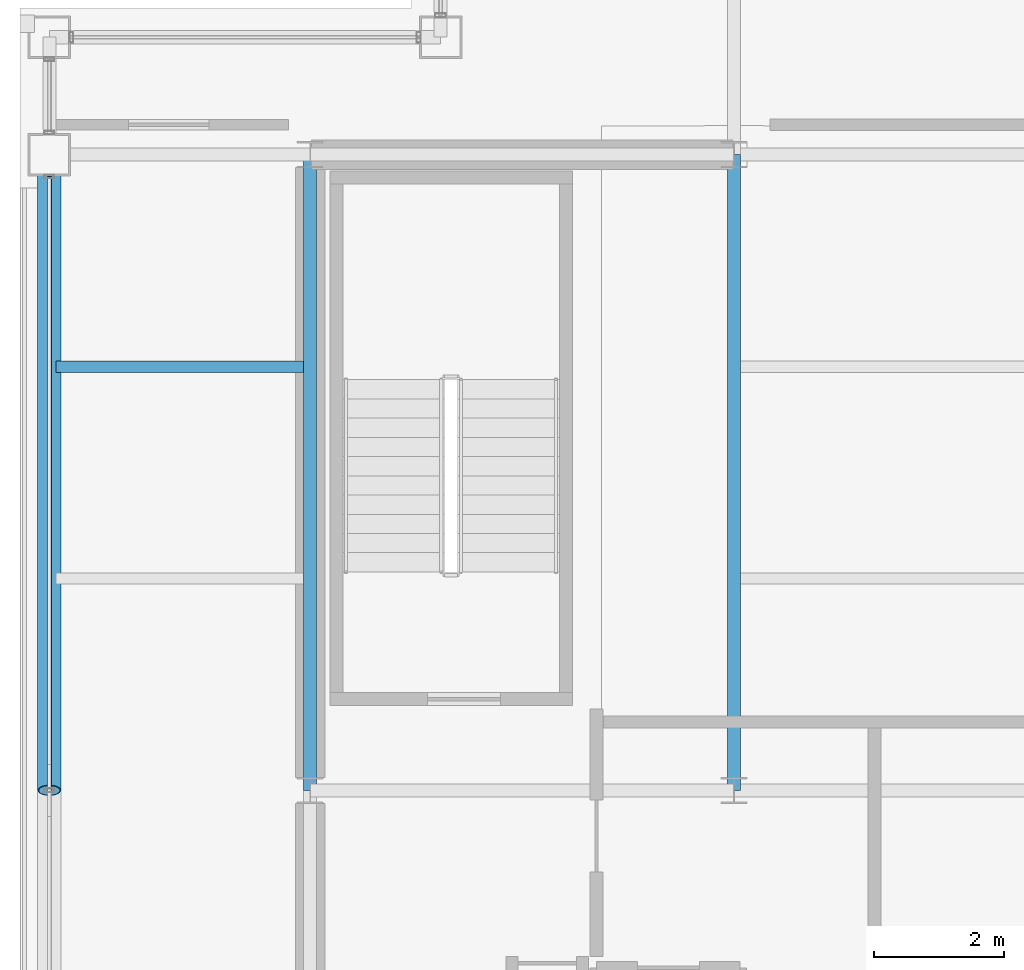
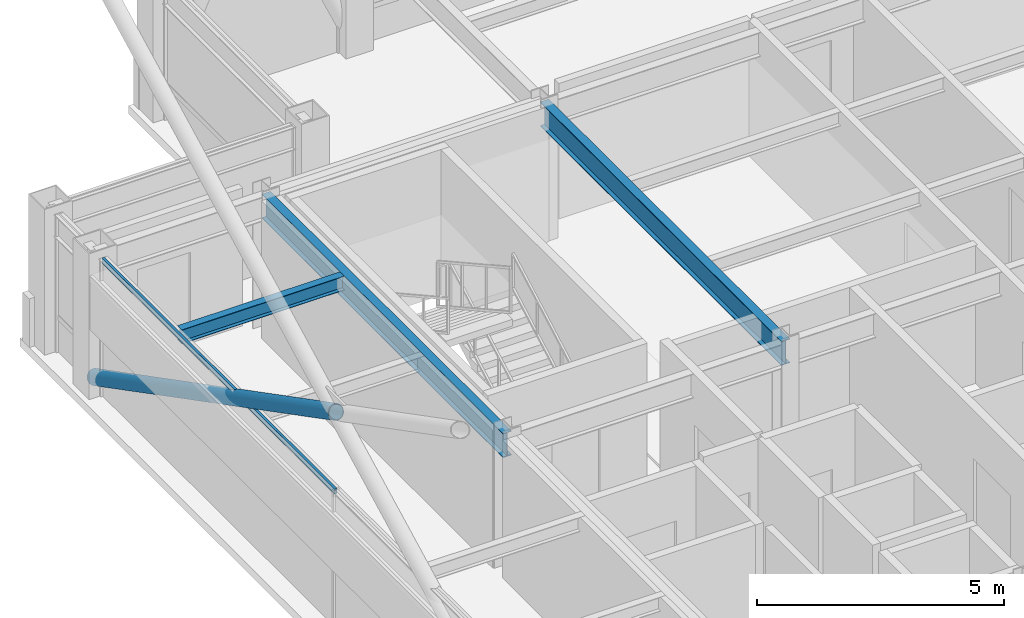
# One storey, part 12 of 30: 3 beams, 2 members, 1 element without a shape of its own.
"""IFC4 building model written with IfcOpenShell, lengths in metres."""

from ifc_helpers import new_model, si_unit, direction, frame, origin, origin_2d, place, context, subcontext, project, spatial, hollow_rectangle, hollow_circle, i_section, extrude, material, layer, layer_set, material_profile, profile_set, type_object, element, aggregate, save


model = new_model("IFC4")

# Units and contexts
model_context = context("Model", 3, precision=1e-05, world=origin(), true_north=direction((0.0, 1.0)))
body_context = subcontext(model_context, "Body", "Model", "MODEL_VIEW")
ifc_project = project(units=[si_unit("LENGTHUNIT", "METRE"), si_unit("AREAUNIT", "SQUARE_METRE"), si_unit("VOLUMEUNIT", "CUBIC_METRE"), si_unit("PLANEANGLEUNIT", "RADIAN"), si_unit("MASSUNIT", "GRAM", prefix="KILO")], contexts=[model_context])

# Site, building, storey
site_placement = place(None, origin())
site = spatial("IfcSite", under=ifc_project, at=site_placement, CompositionType="ELEMENT")
building_placement = place(site_placement, origin())
building = spatial("IfcBuilding", under=site, at=building_placement, Name="Brelmoor Portico Tower", CompositionType="ELEMENT")
storey_placement = place(building_placement, frame((0.0, 0.0, 236.39990234375)))
storey = spatial("IfcBuildingStorey", under=building, at=storey_placement, Name="L62", CompositionType="ELEMENT", Elevation=236.39990234375)

# Beams
ifc_material_1 = material(Name="Steel Q355B", Category="steel")
ifc_material_profile_1 = material_profile(ifc_material_1, i_section(OverallWidth=0.175048828125, OverallDepth=0.35009765625, WebThickness=0.007080078125, FlangeThickness=0.010986328125, at=origin_2d()), Name="HN 350x175x7x11")
ifc_profile_set_1 = profile_set([ifc_material_profile_1], Name="Steel Q355B")
beam_type_1 = type_object("IfcBeamType", Name="BM-JS-350", PredefinedType="JOIST", material=ifc_profile_set_1)
beam_placement = place(storey_placement, frame((-18.449951171875, 6.5, 3.22509765625), z_axis=(1.0, 0.0, 0.0), x_axis=(0.0, 1.0, 0.0)))
element("IfcBeam", 1, at=beam_placement, inside=storey, type_object=beam_type_1, Name="L62 Secondary Wing Joist JS-W10", PredefinedType="JOIST", context=body_context, shape_type="SweptSolid", body=[
    extrude(i_section(OverallWidth=0.175048828125, OverallDepth=0.35009765625, WebThickness=0.007080078125, FlangeThickness=0.010986328125, at=origin_2d()), origin(), (0.0, 0.0, 1.0), 3.800048828125),
])
ifc_material_profile_2 = material_profile(ifc_material_1, i_section(OverallWidth=0.199951171875, OverallDepth=0.60009765625, WebThickness=0.010986328125, FlangeThickness=0.01708984375, at=origin_2d()), Name="HN 600x200x11x17")
ifc_profile_set_2 = profile_set([ifc_material_profile_2], Name="Steel Q355B")
beam_type_2 = type_object("IfcBeamType", Name="BM-PG-600", PredefinedType="BEAM", material=ifc_profile_set_2)
for number, where, z_axis, x_axis, name in (
    (2, (-14.550048828125, 0.0, 3.10009765625), (0.0, 1.0, 0.0), (-1.0, 0.0, 0.0), "L62 Primary Floor Girder PG-02"),
    (3, (-8.050048828125, 0.0, 3.10009765625), (0.0, 1.0, 0.0), (-1.0, 0.0, 0.0), "L62 Primary Floor Girder PG-04"),
):
    element("IfcBeam", number, at=place(storey_placement, frame(where, z_axis=z_axis, x_axis=x_axis)), inside=storey, type_object=beam_type_2, Name=name, PredefinedType="BEAM", context=body_context, shape_type="SweptSolid", body=[
        extrude(i_section(OverallWidth=0.199951171875, OverallDepth=0.60009765625, WebThickness=0.010986328125, FlangeThickness=0.01708984375, at=origin_2d()), origin(), (0.0, 0.0, 1.0), 9.75),
    ])

# Member
ifc_material_profile_3 = material_profile(ifc_material_1, hollow_circle(Radius=0.177978515625, WallThickness=0.01611328125, at=origin_2d()), Name="CHS 356x16")
ifc_profile_set_3 = profile_set([ifc_material_profile_3], Name="Steel Q355B")
member_type_1 = type_object("IfcMemberType", Name="MB-BELT-DIAG2", PredefinedType="BRACE", material=ifc_profile_set_3)
member_1_placement = place(storey_placement, frame((-18.550048828125, 9.75, 0.25), z_axis=(0.0, -0.887959386012, 0.459921872488), x_axis=(1.0, 0.0, 0.0)))
element("IfcMember", 4, at=member_1_placement, inside=storey, type_object=member_type_1, Name="L62 Split Mega-X Brace 144B1", PredefinedType="BRACE", context=body_context, shape_type="SweptSolid", body=[
    extrude(hollow_circle(Radius=0.177978515625, WallThickness=0.01611328125, at=origin_2d()), origin(), (0.0, 0.0, 1.0), 10.980224609375),
])

# Curtain wall, member
ifc_material_2 = material(Name="Anodised Aluminium Alloy 6063-T6", Category="aluminium")
ifc_layer = layer(ifc_material_2, 0.179931640625)
ifc_layer_set = layer_set([ifc_layer], Name="Anodised Aluminium Alloy 6063-T6")
curtain_wall_type = type_object("IfcCurtainWallType", Name="CW-TOWER-Z4-XB", PredefinedType="NOTDEFINED", material=ifc_layer_set)
curtain_wall_placement = place(storey_placement, origin())
curtain_wall = element("IfcCurtainWall", 5, at=curtain_wall_placement, inside=storey, type_object=curtain_wall_type, Name="L62 Curtain Wall CW-L62-03-2", PredefinedType="NOTDEFINED")
ifc_material_profile_4 = material_profile(ifc_material_2, hollow_rectangle(XDim=0.06005859375, YDim=0.125, WallThickness=0.00341796875, at=origin_2d()), Name="ALU TRANSOM 60x125")
ifc_profile_set_4 = profile_set([ifc_material_profile_4], Name="Anodised Aluminium Alloy 6063-T6")
member_type_2 = type_object("IfcMemberType", Name="MB-CW-TRAN-125", PredefinedType="USERDEFINED", material=ifc_profile_set_4)
member_2_placement = place(storey_placement, frame((-18.550048828125, 0.0, 3.337646484375), z_axis=(0.0, 1.0, 0.0), x_axis=(-1.0, 0.0, 0.0)))
member_2 = element("IfcMember", 6, at=member_2_placement, type_object=member_type_2, Name="CW-L62-03-2 Transom 1-01", ObjectType="TRANSOM", PredefinedType="USERDEFINED", context=body_context, shape_type="SweptSolid", body=[
    extrude(hollow_rectangle(XDim=0.06005859375, YDim=0.125, WallThickness=0.00341796875, at=origin_2d()), origin(), (0.0, 0.0, 1.0), 9.4150390625),
])
aggregate(curtain_wall, [member_2])

save(model, "model.ifc")
